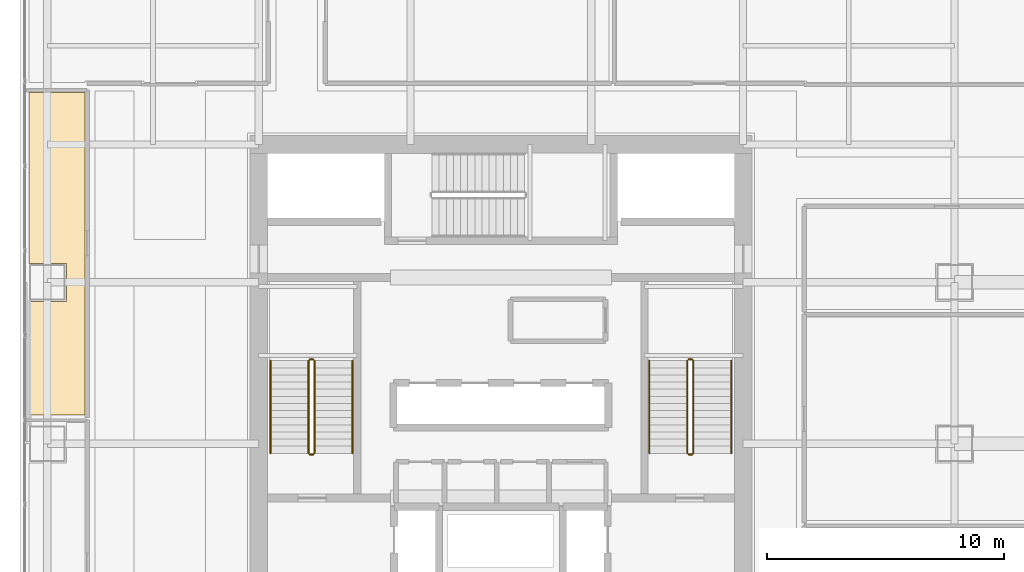
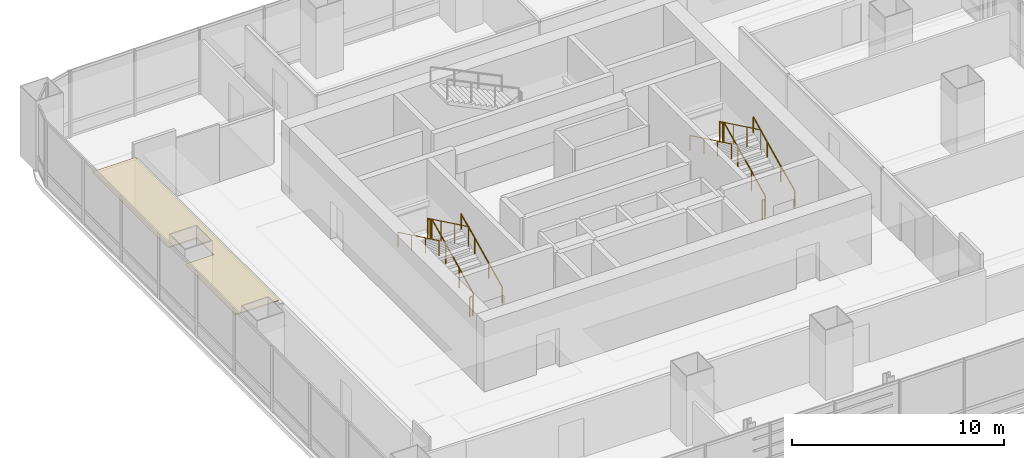
# One storey, part 32 of 35: 12 railings, 1 covering.
"""IFC4 building model written with IfcOpenShell, lengths in metres."""

import ifcopenshell
import ifcopenshell.guid

model = None  # the IFC model being written
_history = None  # IfcOwnerHistory: only IFC2X3 demands one
_inside = {}  # id of a spatial element -> (the spatial element, [elements in it])
_under = {}  # id of a project, library or spatial element -> (it, [spatial elements below it])
_declared = {}  # id of a project -> (the project, [libraries it declares])
_typed = {}  # id of a type object -> (the type object, [elements of that type])
_made_of = {}  # id of a material, layer set ... -> (it, [elements and type objects made of it])


def new_model(schema):
    """Start an empty IFC model of exactly this schema.

    Asked for "IFC4X3", IfcOpenShell would pick the latest addendum, in which some entities
    have other attributes; the version numbers below select the first issue.
    IFC2X3 requires an IfcOwnerHistory on every rooted entity: one is made here for all.
    """
    global model, _history
    if schema == "IFC4X3":
        model = ifcopenshell.file(schema_version=(4, 3, 0, 0))
    else:
        model = ifcopenshell.file(schema=schema)
    _inside.clear()
    _under.clear()
    _declared.clear()
    _typed.clear()
    _made_of.clear()
    _history = None
    if model.schema == "IFC2X3":
        org = make("IfcOrganization", Name="unknown")
        user = make(
            "IfcPersonAndOrganization",
            ThePerson=make("IfcPerson", FamilyName="unknown"),
            TheOrganization=org,
        )
        app = make(
            "IfcApplication",
            ApplicationDeveloper=org,
            Version="unknown",
            ApplicationFullName="unknown",
            ApplicationIdentifier="unknown",
        )
        _history = make(
            "IfcOwnerHistory",
            OwningUser=user,
            OwningApplication=app,
            ChangeAction="ADDED",
            CreationDate=0,
        )
    return model


def make(cls, **values):
    """One entity of the class cls with the attributes given. An attribute that is None is left unset."""
    return model.create_entity(
        cls, **{name: value for name, value in values.items() if value is not None}
    )


def rooted(cls, **values):
    """An entity with a GlobalId (a new one), such as an element, a storey or a relation."""
    return make(cls, GlobalId=ifcopenshell.guid.new(), OwnerHistory=_history, **values)


def si_unit(unit_type, name, prefix=None):
    """IfcSIUnit, for example si_unit("LENGTHUNIT", "METRE", prefix="MILLI")."""
    return make("IfcSIUnit", UnitType=unit_type, Prefix=prefix, Name=name)


def assignment(units):
    """IfcUnitAssignment: the units of a project."""
    return None if units is None else make("IfcUnitAssignment", Units=units)


def point(xyz):
    """IfcCartesianPoint."""
    return None if xyz is None else make("IfcCartesianPoint", Coordinates=xyz)


def direction(xyz):
    """IfcDirection."""
    return None if xyz is None else make("IfcDirection", DirectionRatios=xyz)


def frame(location, z_axis=None, x_axis=None):
    """IfcAxis2Placement3D, a coordinate frame: its origin and axes. An axis left out is left unset."""
    return make(
        "IfcAxis2Placement3D",
        Location=point(location),
        Axis=direction(z_axis),
        RefDirection=direction(x_axis),
    )


def frame_2d(location, x_axis=None):
    """IfcAxis2Placement2D, a coordinate frame in the plane: its origin and x axis."""
    return make(
        "IfcAxis2Placement2D", Location=point(location), RefDirection=direction(x_axis)
    )


def origin():
    """The frame at (0, 0, 0) with its axes left unset."""
    return frame((0.0, 0.0, 0.0))


def origin_2d():
    """The frame at (0, 0) in the plane with its x axis left unset."""
    return frame_2d((0.0, 0.0))


def place(relative_to, where):
    """IfcLocalPlacement: puts the frame where relative to a parent placement (None: the world)."""
    return make(
        "IfcLocalPlacement", PlacementRelTo=relative_to, RelativePlacement=where
    )


def context(
    kind, dimensions, precision=None, world=None, true_north=None, identifier=None
):
    """IfcGeometricRepresentationContext, for example the 3D "Model" context."""
    return make(
        "IfcGeometricRepresentationContext",
        ContextIdentifier=identifier,
        ContextType=kind,
        CoordinateSpaceDimension=dimensions,
        Precision=precision,
        WorldCoordinateSystem=world,
        TrueNorth=true_north,
    )


def subcontext(parent, identifier, kind, view, scale=None):
    """IfcGeometricRepresentationSubContext, for example "Body" below "Model"."""
    return make(
        "IfcGeometricRepresentationSubContext",
        ContextIdentifier=identifier,
        ContextType=kind,
        ParentContext=parent,
        TargetScale=scale,
        TargetView=view,
    )


def project(units=None, contexts=None):
    """IfcProject with its units and contexts."""
    return rooted(
        "IfcProject",
        Name="project",
        RepresentationContexts=contexts,
        UnitsInContext=assignment(units),
    )


def spatial(cls, under=None, at=None, **own):
    """A site, building, storey or space (cls), placed at a placement, below another one or the project."""
    s = rooted(cls, ObjectPlacement=at, **own)
    if under is not None:
        _under.setdefault(under.id(), (under, []))[1].append(s)
    return s


def polyline(points):
    """IfcPolyline through the points."""
    return make("IfcPolyline", Points=[point(p) for p in points])


def profile(cls, at=None, kind="AREA", **sizes):
    """A parametric profile (cls). Its sizes go by their IFC names, for example OverallWidth=200.0."""
    return make(cls, ProfileType=kind, Position=at, **sizes)


def circle(**sizes):
    """IfcCircleProfileDef."""
    return profile("IfcCircleProfileDef", **sizes)


def outline(outer, holes=None, kind="AREA"):
    """IfcArbitraryClosedProfileDef: a profile drawn as a closed curve; with holes, ...WithVoids."""
    if holes is None:
        return make("IfcArbitraryClosedProfileDef", ProfileType=kind, OuterCurve=outer)
    return make(
        "IfcArbitraryProfileDefWithVoids",
        ProfileType=kind,
        OuterCurve=outer,
        InnerCurves=holes,
    )


def extrude(swept, where, along, depth):
    """IfcExtrudedAreaSolid: the profile swept, set in the frame where, extruded along a direction by depth."""
    return make(
        "IfcExtrudedAreaSolid",
        SweptArea=swept,
        Position=where,
        ExtrudedDirection=direction(along),
        Depth=depth,
    )


def shape(context_of_items, identifier, shape_type, items):
    """IfcShapeRepresentation: the items that make up one representation, for example the "Body"."""
    return make(
        "IfcShapeRepresentation",
        ContextOfItems=context_of_items,
        RepresentationIdentifier=identifier,
        RepresentationType=shape_type,
        Items=items,
    )


def material(Name=None, Category=None):
    """IfcMaterial."""
    return make("IfcMaterial", Name=Name, Category=Category)


def layer(
    of_material, thickness, ventilated=None, Name=None, Category=None, Priority=None
):
    """IfcMaterialLayer: one layer of a wall or slab, of a material (None: an air gap)."""
    return make(
        "IfcMaterialLayer",
        Material=of_material,
        LayerThickness=thickness,
        IsVentilated=ventilated,
        Name=Name,
        Category=Category,
        Priority=Priority,
    )


def layer_set(layers, Name=None):
    """IfcMaterialLayerSet."""
    return make("IfcMaterialLayerSet", MaterialLayers=layers, LayerSetName=Name)


def made_of(thing, what):
    """Note that an element or type object is made of a material, layer set ...; save() writes the relation."""
    if what is not None:
        _made_of.setdefault(what.id(), (what, []))[1].append(thing)
    return thing


def type_object(cls, material=None, **own):
    """A type object (cls), such as IfcWallType, which elements share."""
    return made_of(rooted(cls, **own), material)


def element(
    cls,
    number,
    at=None,
    inside=None,
    cuts=None,
    type_object=None,
    material=None,
    context=None,
    identifier="Body",
    shape_type=None,
    held_by="IfcProductDefinitionShape",
    body=None,
    shapes=None,
    **own,
):
    """One element of the class cls, such as IfcWall. Its Tag is "e" and its number.

    at: its placement. inside: the storey or other place that contains it. cuts: it is an
    opening in that element (IfcRelVoidsElement). A single representation is given by context,
    identifier, shape_type and body (its items); several are given by shapes. held_by: the class
    of the entity that holds the representations. save() writes the other relations.
    """
    e = rooted(cls, Tag="e%d" % number, ObjectPlacement=at, **own)
    if body is not None:
        shapes = [shape(context, identifier, shape_type, body)]
    if shapes is not None:
        e.Representation = make(held_by, Representations=shapes)
    if inside is not None:
        _inside.setdefault(inside.id(), (inside, []))[1].append(e)
    if cuts is not None:
        rooted(
            "IfcRelVoidsElement", RelatingBuildingElement=cuts, RelatedOpeningElement=e
        )
    if type_object is not None:
        _typed.setdefault(type_object.id(), (type_object, []))[1].append(e)
    return made_of(e, material)


def aggregate(whole, parts):
    """IfcRelAggregates: a whole, such as a stair, and the parts it consists of."""
    return rooted("IfcRelAggregates", RelatingObject=whole, RelatedObjects=parts)


def save(model, path):
    """Write the relations noted so far, then the file.

    IfcRelAggregates (storeys below a building ...), IfcRelContainedInSpatialStructure (elements
    in a storey), IfcRelDefinesByType, IfcRelAssociatesMaterial and IfcRelDeclares: one each for
    every whole, place, type object, material and project.
    """
    for whole, parts in _under.values():
        aggregate(whole, parts)
    for where, things in _inside.values():
        rooted(
            "IfcRelContainedInSpatialStructure",
            RelatedElements=things,
            RelatingStructure=where,
        )
    for kind, things in _typed.values():
        rooted("IfcRelDefinesByType", RelatedObjects=things, RelatingType=kind)
    for what, things in _made_of.values():
        rooted("IfcRelAssociatesMaterial", RelatedObjects=things, RelatingMaterial=what)
    for by, libraries in _declared.values():
        rooted("IfcRelDeclares", RelatingContext=by, RelatedDefinitions=libraries)
    model.write(path)


model = new_model("IFC4")

# Units and contexts
model_context = context("Model", 3, precision=1e-05, world=origin(), true_north=direction((0.0, 1.0)))
body_context = subcontext(model_context, "Body", "Model", "MODEL_VIEW")
ifc_project = project(units=[si_unit("LENGTHUNIT", "METRE"), si_unit("AREAUNIT", "SQUARE_METRE"), si_unit("VOLUMEUNIT", "CUBIC_METRE"), si_unit("PLANEANGLEUNIT", "RADIAN"), si_unit("MASSUNIT", "GRAM", prefix="KILO")], contexts=[model_context])

# Site, building, storey
site_placement = place(None, origin())
site = spatial("IfcSite", under=ifc_project, at=site_placement, CompositionType="ELEMENT")
building_placement = place(site_placement, origin())
building = spatial("IfcBuilding", under=site, at=building_placement, Name="Punatoya Terracotta Tower", CompositionType="ELEMENT")
storey_placement = place(building_placement, frame((0.0, 0.0, 68.699951171875)))
storey = spatial("IfcBuildingStorey", under=building, at=storey_placement, Name="L15", CompositionType="ELEMENT", Elevation=68.699951171875)

# Covering
ifc_material_1 = material(Name="Acoustic Mineral Fibre Ceiling")
ifc_layer = layer(ifc_material_1, 0.06005859375)
ifc_layer_set = layer_set([ifc_layer], Name="Acoustic Mineral Fibre Ceiling")
covering_type = type_object("IfcCoveringType", Name="COV-CEIL-60", PredefinedType="CEILING", material=ifc_layer_set)
covering_placement = place(storey_placement, frame((0.0, 0.0, 3.199951171875)))
element("IfcCovering", 1, at=covering_placement, inside=storey, type_object=covering_type, Name="L15 Open-Plan Wellness Focus Room Acoustic Ceiling", PredefinedType="CEILING", context=body_context, shape_type="SweptSolid", body=[
    extrude(outline(polyline([(-19.8701171875, 2.60009765625), (-19.8701171875, -2.18994140625), (-17.52001953125, -2.18994140625), (-17.52001953125, 11.389892578125), (-19.8701171875, 11.389892578125), (-19.8701171875, 4.199951171875), (-18.300048828125, 4.199951171875), (-18.300048828125, 2.60009765625), (-19.8701171875, 2.60009765625)])), origin(), (0.0, 0.0, 1.0), 0.06005859375),
])

# Railings
ifc_material_2 = material(Name="Steel S355", Category="steel")
railing_type_1 = type_object("IfcRailingType", Name="RLG-GRD-1150", PredefinedType="GUARDRAIL", material=ifc_material_2)
railing_1_placement = place(storey_placement, frame((-7.85009765625, -3.800048828125, 0.144775390625)))
element("IfcRailing", 2, at=railing_1_placement, inside=storey, type_object=railing_type_1, Name="L15 ST-1 stair guard 1", PredefinedType="GUARDRAIL", context=body_context, shape_type="SweptSolid", body=[
    extrude(circle(Radius=0.02392578125, at=origin_2d()), frame((0.0, 0.0, 1.1259765625), z_axis=(0.0, 0.900773802044, 0.434288564841), x_axis=(-1.0, 0.0, 0.0)), (0.0, 0.0, 1.0), 4.329833984375),
    extrude(circle(Radius=0.02099609375, at=origin_2d()), origin(), (0.0, 0.0, 1.0), 1.101806640625),
    extrude(circle(Radius=0.02099609375, at=origin_2d()), frame((0.0, 1.300048828125, 0.626708984375)), (0.0, 0.0, 1.0), 1.101806640625),
    extrude(circle(Radius=0.02099609375, at=origin_2d()), frame((0.0, 2.60009765625, 1.253662109375)), (0.0, 0.0, 1.0), 1.101806640625),
    extrude(circle(Radius=0.02099609375, at=origin_2d()), frame((0.0, 3.900146484375, 1.88037109375)), (0.0, 0.0, 1.0), 1.101806640625),
])
railing_2_placement = place(storey_placement, frame((-7.89990234375, 0.14990234375, 2.025146484375)))
element("IfcRailing", 3, at=railing_2_placement, inside=storey, type_object=railing_type_1, Name="L15 ST-1 stair guard 2", PredefinedType="GUARDRAIL", context=body_context, shape_type="SweptSolid", body=[
    extrude(circle(Radius=0.02392578125, at=origin_2d()), frame((0.0, 0.0, 1.1259765625), z_axis=(-1.0, 0.0, 0.0), x_axis=(0.0, -1.0, 0.0)), (0.0, 0.0, 1.0), 0.150146484375),
    extrude(circle(Radius=0.02099609375, at=origin_2d()), origin(), (0.0, 0.0, 1.0), 1.101806640625),
    extrude(circle(Radius=0.02099609375, at=origin_2d()), frame((-0.150146484375, 0.0, 0.0)), (0.0, 0.0, 1.0), 1.101806640625),
])
railing_3_placement = place(storey_placement, frame((-8.10009765625, 0.10009765625, 2.169677734375)))
element("IfcRailing", 4, at=railing_3_placement, inside=storey, type_object=railing_type_1, Name="L15 ST-1 stair guard 3", PredefinedType="GUARDRAIL", context=body_context, shape_type="SweptSolid", body=[
    extrude(circle(Radius=0.02392578125, at=origin_2d()), frame((0.0, 0.0, 1.1259765625), z_axis=(0.0, -0.900773802044, 0.434288564841), x_axis=(1.0, 0.0, 0.0)), (0.0, 0.0, 1.0), 4.329833984375),
    extrude(circle(Radius=0.02099609375, at=origin_2d()), origin(), (0.0, 0.0, 1.0), 1.101806640625),
    extrude(circle(Radius=0.02099609375, at=origin_2d()), frame((0.0, -1.300048828125, 0.626708984375)), (0.0, 0.0, 1.0), 1.101806640625),
    extrude(circle(Radius=0.02099609375, at=origin_2d()), frame((0.0, -2.60009765625, 1.253662109375)), (0.0, 0.0, 1.0), 1.101806640625),
    extrude(circle(Radius=0.02099609375, at=origin_2d()), frame((0.0, -3.900146484375, 1.88037109375)), (0.0, 0.0, 1.0), 1.101806640625),
])
railing_4_placement = place(storey_placement, frame((-7.89990234375, -3.85009765625, 0.0)))
element("IfcRailing", 5, at=railing_4_placement, inside=storey, type_object=railing_type_1, Name="L15 ST-1 stair guard 4", PredefinedType="GUARDRAIL", context=body_context, shape_type="SweptSolid", body=[
    extrude(circle(Radius=0.02392578125, at=origin_2d()), frame((0.0, 0.0, 1.1259765625), z_axis=(-1.0, 0.0, 0.0), x_axis=(0.0, -1.0, 0.0)), (0.0, 0.0, 1.0), 0.150146484375),
    extrude(circle(Radius=0.02099609375, at=origin_2d()), origin(), (0.0, 0.0, 1.0), 1.101806640625),
    extrude(circle(Radius=0.02099609375, at=origin_2d()), frame((-0.150146484375, 0.0, 0.0)), (0.0, 0.0, 1.0), 1.101806640625),
])
railing_5_placement = place(storey_placement, frame((8.10009765625, -3.800048828125, 0.144775390625)))
element("IfcRailing", 6, at=railing_5_placement, inside=storey, type_object=railing_type_1, Name="L15 ST-2 stair guard 1", PredefinedType="GUARDRAIL", context=body_context, shape_type="SweptSolid", body=[
    extrude(circle(Radius=0.02392578125, at=origin_2d()), frame((0.0, 0.0, 1.1259765625), z_axis=(0.0, 0.900773802044, 0.434288564841), x_axis=(-1.0, 0.0, 0.0)), (0.0, 0.0, 1.0), 4.329833984375),
    extrude(circle(Radius=0.02099609375, at=origin_2d()), origin(), (0.0, 0.0, 1.0), 1.101806640625),
    extrude(circle(Radius=0.02099609375, at=origin_2d()), frame((0.0, 1.300048828125, 0.626708984375)), (0.0, 0.0, 1.0), 1.101806640625),
    extrude(circle(Radius=0.02099609375, at=origin_2d()), frame((0.0, 2.60009765625, 1.253662109375)), (0.0, 0.0, 1.0), 1.101806640625),
    extrude(circle(Radius=0.02099609375, at=origin_2d()), frame((0.0, 3.900146484375, 1.88037109375)), (0.0, 0.0, 1.0), 1.101806640625),
])
railing_6_placement = place(storey_placement, frame((8.050048828125, 0.14990234375, 2.025146484375)))
element("IfcRailing", 7, at=railing_6_placement, inside=storey, type_object=railing_type_1, Name="L15 ST-2 stair guard 2", PredefinedType="GUARDRAIL", context=body_context, shape_type="SweptSolid", body=[
    extrude(circle(Radius=0.02392578125, at=origin_2d()), frame((0.0, 0.0, 1.1259765625), z_axis=(-1.0, 0.0, 0.0), x_axis=(0.0, -1.0, 0.0)), (0.0, 0.0, 1.0), 0.150146484375),
    extrude(circle(Radius=0.02099609375, at=origin_2d()), origin(), (0.0, 0.0, 1.0), 1.101806640625),
    extrude(circle(Radius=0.02099609375, at=origin_2d()), frame((-0.150146484375, 0.0, 0.0)), (0.0, 0.0, 1.0), 1.101806640625),
])
railing_7_placement = place(storey_placement, frame((7.85009765625, 0.10009765625, 2.169677734375)))
element("IfcRailing", 8, at=railing_7_placement, inside=storey, type_object=railing_type_1, Name="L15 ST-2 stair guard 3", PredefinedType="GUARDRAIL", context=body_context, shape_type="SweptSolid", body=[
    extrude(circle(Radius=0.02392578125, at=origin_2d()), frame((0.0, 0.0, 1.1259765625), z_axis=(0.0, -0.900773802044, 0.434288564841), x_axis=(1.0, 0.0, 0.0)), (0.0, 0.0, 1.0), 4.329833984375),
    extrude(circle(Radius=0.02099609375, at=origin_2d()), origin(), (0.0, 0.0, 1.0), 1.101806640625),
    extrude(circle(Radius=0.02099609375, at=origin_2d()), frame((0.0, -1.300048828125, 0.626708984375)), (0.0, 0.0, 1.0), 1.101806640625),
    extrude(circle(Radius=0.02099609375, at=origin_2d()), frame((0.0, -2.60009765625, 1.253662109375)), (0.0, 0.0, 1.0), 1.101806640625),
    extrude(circle(Radius=0.02099609375, at=origin_2d()), frame((0.0, -3.900146484375, 1.88037109375)), (0.0, 0.0, 1.0), 1.101806640625),
])
railing_8_placement = place(storey_placement, frame((8.050048828125, -3.85009765625, 0.0)))
element("IfcRailing", 9, at=railing_8_placement, inside=storey, type_object=railing_type_1, Name="L15 ST-2 stair guard 4", PredefinedType="GUARDRAIL", context=body_context, shape_type="SweptSolid", body=[
    extrude(circle(Radius=0.02392578125, at=origin_2d()), frame((0.0, 0.0, 1.1259765625), z_axis=(-1.0, 0.0, 0.0), x_axis=(0.0, -1.0, 0.0)), (0.0, 0.0, 1.0), 0.150146484375),
    extrude(circle(Radius=0.02099609375, at=origin_2d()), origin(), (0.0, 0.0, 1.0), 1.101806640625),
    extrude(circle(Radius=0.02099609375, at=origin_2d()), frame((-0.150146484375, 0.0, 0.0)), (0.0, 0.0, 1.0), 1.101806640625),
])
railing_type_2 = type_object("IfcRailingType", Name="RLG-HND-900", PredefinedType="HANDRAIL", material=ifc_material_2)
railing_9_placement = place(storey_placement, frame((-6.25, -3.800048828125, 0.144775390625)))
element("IfcRailing", 10, at=railing_9_placement, inside=storey, type_object=railing_type_2, Name="L15 ST-1 stair handrail 1", PredefinedType="HANDRAIL", context=body_context, shape_type="SweptSolid", body=[
    extrude(circle(Radius=0.02392578125, at=origin_2d()), frame((0.0, 0.0, 0.8759765625), z_axis=(0.0, 0.900773802044, 0.434288564841), x_axis=(-1.0, 0.0, 0.0)), (0.0, 0.0, 1.0), 4.329833984375),
    extrude(circle(Radius=0.02099609375, at=origin_2d()), origin(), (0.0, 0.0, 1.0), 0.851806640625),
    extrude(circle(Radius=0.02099609375, at=origin_2d()), frame((0.0, 1.300048828125, 0.626708984375)), (0.0, 0.0, 1.0), 0.851806640625),
    extrude(circle(Radius=0.02099609375, at=origin_2d()), frame((0.0, 2.60009765625, 1.253662109375)), (0.0, 0.0, 1.0), 0.851806640625),
    extrude(circle(Radius=0.02099609375, at=origin_2d()), frame((0.0, 3.900146484375, 1.88037109375)), (0.0, 0.0, 1.0), 0.851806640625),
])
railing_10_placement = place(storey_placement, frame((-9.699951171875, 0.10009765625, 2.169677734375)))
element("IfcRailing", 11, at=railing_10_placement, inside=storey, type_object=railing_type_2, Name="L15 ST-1 stair handrail 2", PredefinedType="HANDRAIL", context=body_context, shape_type="SweptSolid", body=[
    extrude(circle(Radius=0.02392578125, at=origin_2d()), frame((0.0, 0.0, 0.8759765625), z_axis=(0.0, -0.900773802044, 0.434288564841), x_axis=(1.0, 0.0, 0.0)), (0.0, 0.0, 1.0), 4.329833984375),
    extrude(circle(Radius=0.02099609375, at=origin_2d()), origin(), (0.0, 0.0, 1.0), 0.851806640625),
    extrude(circle(Radius=0.02099609375, at=origin_2d()), frame((0.0, -1.300048828125, 0.626708984375)), (0.0, 0.0, 1.0), 0.851806640625),
    extrude(circle(Radius=0.02099609375, at=origin_2d()), frame((0.0, -2.60009765625, 1.253662109375)), (0.0, 0.0, 1.0), 0.851806640625),
    extrude(circle(Radius=0.02099609375, at=origin_2d()), frame((0.0, -3.900146484375, 1.88037109375)), (0.0, 0.0, 1.0), 0.851806640625),
])
railing_11_placement = place(storey_placement, frame((9.699951171875, -3.800048828125, 0.144775390625)))
element("IfcRailing", 12, at=railing_11_placement, inside=storey, type_object=railing_type_2, Name="L15 ST-2 stair handrail 1", PredefinedType="HANDRAIL", context=body_context, shape_type="SweptSolid", body=[
    extrude(circle(Radius=0.02392578125, at=origin_2d()), frame((0.0, 0.0, 0.8759765625), z_axis=(0.0, 0.900773802044, 0.434288564841), x_axis=(-1.0, 0.0, 0.0)), (0.0, 0.0, 1.0), 4.329833984375),
    extrude(circle(Radius=0.02099609375, at=origin_2d()), origin(), (0.0, 0.0, 1.0), 0.851806640625),
    extrude(circle(Radius=0.02099609375, at=origin_2d()), frame((0.0, 1.300048828125, 0.626708984375)), (0.0, 0.0, 1.0), 0.851806640625),
    extrude(circle(Radius=0.02099609375, at=origin_2d()), frame((0.0, 2.60009765625, 1.253662109375)), (0.0, 0.0, 1.0), 0.851806640625),
    extrude(circle(Radius=0.02099609375, at=origin_2d()), frame((0.0, 3.900146484375, 1.88037109375)), (0.0, 0.0, 1.0), 0.851806640625),
])
railing_12_placement = place(storey_placement, frame((6.25, 0.10009765625, 2.169677734375)))
element("IfcRailing", 13, at=railing_12_placement, inside=storey, type_object=railing_type_2, Name="L15 ST-2 stair handrail 2", PredefinedType="HANDRAIL", context=body_context, shape_type="SweptSolid", body=[
    extrude(circle(Radius=0.02392578125, at=origin_2d()), frame((0.0, 0.0, 0.8759765625), z_axis=(0.0, -0.900773802044, 0.434288564841), x_axis=(1.0, 0.0, 0.0)), (0.0, 0.0, 1.0), 4.329833984375),
    extrude(circle(Radius=0.02099609375, at=origin_2d()), origin(), (0.0, 0.0, 1.0), 0.851806640625),
    extrude(circle(Radius=0.02099609375, at=origin_2d()), frame((0.0, -1.300048828125, 0.626708984375)), (0.0, 0.0, 1.0), 0.851806640625),
    extrude(circle(Radius=0.02099609375, at=origin_2d()), frame((0.0, -2.60009765625, 1.253662109375)), (0.0, 0.0, 1.0), 0.851806640625),
    extrude(circle(Radius=0.02099609375, at=origin_2d()), frame((0.0, -3.900146484375, 1.88037109375)), (0.0, 0.0, 1.0), 0.851806640625),
])

save(model, "model.ifc")
